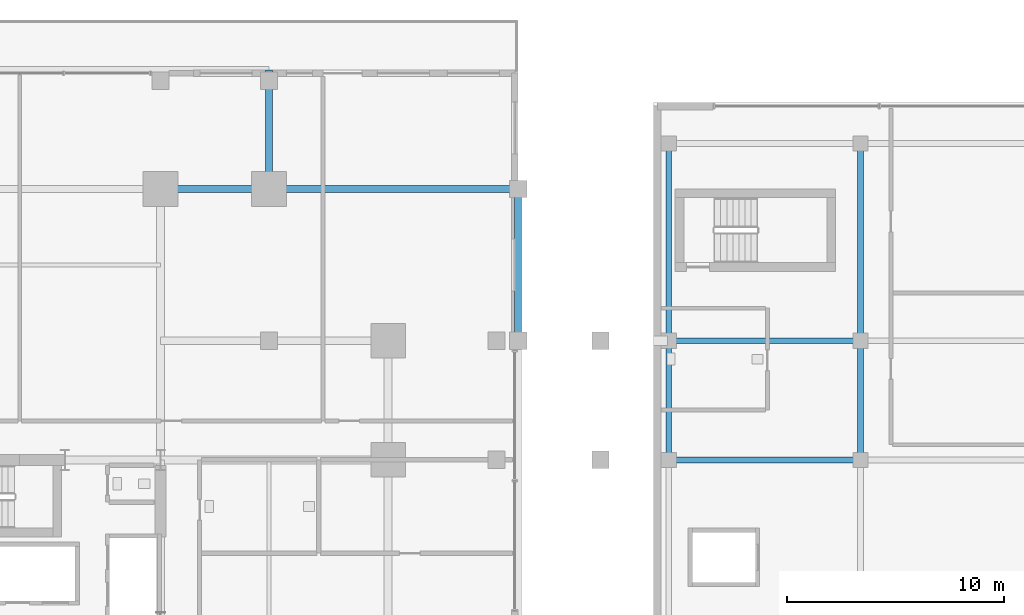
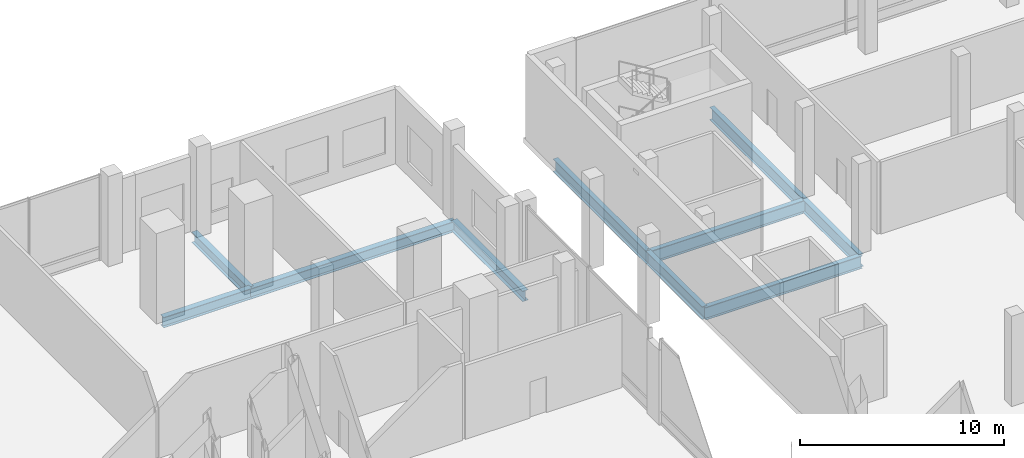
# One storey, part 15 of 32: 10 beams.
"""IFC4 building model written with IfcOpenShell, lengths in metres."""

import ifcopenshell
import ifcopenshell.guid

model = None  # the IFC model being written
_history = None  # IfcOwnerHistory: only IFC2X3 demands one
_inside = {}  # id of a spatial element -> (the spatial element, [elements in it])
_under = {}  # id of a project, library or spatial element -> (it, [spatial elements below it])
_declared = {}  # id of a project -> (the project, [libraries it declares])
_typed = {}  # id of a type object -> (the type object, [elements of that type])
_made_of = {}  # id of a material, layer set ... -> (it, [elements and type objects made of it])


def new_model(schema):
    """Start an empty IFC model of exactly this schema.

    Asked for "IFC4X3", IfcOpenShell would pick the latest addendum, in which some entities
    have other attributes; the version numbers below select the first issue.
    IFC2X3 requires an IfcOwnerHistory on every rooted entity: one is made here for all.
    """
    global model, _history
    if schema == "IFC4X3":
        model = ifcopenshell.file(schema_version=(4, 3, 0, 0))
    else:
        model = ifcopenshell.file(schema=schema)
    _inside.clear()
    _under.clear()
    _declared.clear()
    _typed.clear()
    _made_of.clear()
    _history = None
    if model.schema == "IFC2X3":
        org = make("IfcOrganization", Name="unknown")
        user = make(
            "IfcPersonAndOrganization",
            ThePerson=make("IfcPerson", FamilyName="unknown"),
            TheOrganization=org,
        )
        app = make(
            "IfcApplication",
            ApplicationDeveloper=org,
            Version="unknown",
            ApplicationFullName="unknown",
            ApplicationIdentifier="unknown",
        )
        _history = make(
            "IfcOwnerHistory",
            OwningUser=user,
            OwningApplication=app,
            ChangeAction="ADDED",
            CreationDate=0,
        )
    return model


def make(cls, **values):
    """One entity of the class cls with the attributes given. An attribute that is None is left unset."""
    return model.create_entity(
        cls, **{name: value for name, value in values.items() if value is not None}
    )


def rooted(cls, **values):
    """An entity with a GlobalId (a new one), such as an element, a storey or a relation."""
    return make(cls, GlobalId=ifcopenshell.guid.new(), OwnerHistory=_history, **values)


def si_unit(unit_type, name, prefix=None):
    """IfcSIUnit, for example si_unit("LENGTHUNIT", "METRE", prefix="MILLI")."""
    return make("IfcSIUnit", UnitType=unit_type, Prefix=prefix, Name=name)


def assignment(units):
    """IfcUnitAssignment: the units of a project."""
    return None if units is None else make("IfcUnitAssignment", Units=units)


def point(xyz):
    """IfcCartesianPoint."""
    return None if xyz is None else make("IfcCartesianPoint", Coordinates=xyz)


def direction(xyz):
    """IfcDirection."""
    return None if xyz is None else make("IfcDirection", DirectionRatios=xyz)


def frame(location, z_axis=None, x_axis=None):
    """IfcAxis2Placement3D, a coordinate frame: its origin and axes. An axis left out is left unset."""
    return make(
        "IfcAxis2Placement3D",
        Location=point(location),
        Axis=direction(z_axis),
        RefDirection=direction(x_axis),
    )


def frame_2d(location, x_axis=None):
    """IfcAxis2Placement2D, a coordinate frame in the plane: its origin and x axis."""
    return make(
        "IfcAxis2Placement2D", Location=point(location), RefDirection=direction(x_axis)
    )


def origin():
    """The frame at (0, 0, 0) with its axes left unset."""
    return frame((0.0, 0.0, 0.0))


def origin_2d():
    """The frame at (0, 0) in the plane with its x axis left unset."""
    return frame_2d((0.0, 0.0))


def place(relative_to, where):
    """IfcLocalPlacement: puts the frame where relative to a parent placement (None: the world)."""
    return make(
        "IfcLocalPlacement", PlacementRelTo=relative_to, RelativePlacement=where
    )


def context(
    kind, dimensions, precision=None, world=None, true_north=None, identifier=None
):
    """IfcGeometricRepresentationContext, for example the 3D "Model" context."""
    return make(
        "IfcGeometricRepresentationContext",
        ContextIdentifier=identifier,
        ContextType=kind,
        CoordinateSpaceDimension=dimensions,
        Precision=precision,
        WorldCoordinateSystem=world,
        TrueNorth=true_north,
    )


def subcontext(parent, identifier, kind, view, scale=None):
    """IfcGeometricRepresentationSubContext, for example "Body" below "Model"."""
    return make(
        "IfcGeometricRepresentationSubContext",
        ContextIdentifier=identifier,
        ContextType=kind,
        ParentContext=parent,
        TargetScale=scale,
        TargetView=view,
    )


def project(units=None, contexts=None):
    """IfcProject with its units and contexts."""
    return rooted(
        "IfcProject",
        Name="project",
        RepresentationContexts=contexts,
        UnitsInContext=assignment(units),
    )


def spatial(cls, under=None, at=None, **own):
    """A site, building, storey or space (cls), placed at a placement, below another one or the project."""
    s = rooted(cls, ObjectPlacement=at, **own)
    if under is not None:
        _under.setdefault(under.id(), (under, []))[1].append(s)
    return s


def profile(cls, at=None, kind="AREA", **sizes):
    """A parametric profile (cls). Its sizes go by their IFC names, for example OverallWidth=200.0."""
    return make(cls, ProfileType=kind, Position=at, **sizes)


def i_section(**sizes):
    """IfcIShapeProfileDef."""
    return profile("IfcIShapeProfileDef", **sizes)


def extrude(swept, where, along, depth):
    """IfcExtrudedAreaSolid: the profile swept, set in the frame where, extruded along a direction by depth."""
    return make(
        "IfcExtrudedAreaSolid",
        SweptArea=swept,
        Position=where,
        ExtrudedDirection=direction(along),
        Depth=depth,
    )


def shape(context_of_items, identifier, shape_type, items):
    """IfcShapeRepresentation: the items that make up one representation, for example the "Body"."""
    return make(
        "IfcShapeRepresentation",
        ContextOfItems=context_of_items,
        RepresentationIdentifier=identifier,
        RepresentationType=shape_type,
        Items=items,
    )


def material(Name=None, Category=None):
    """IfcMaterial."""
    return make("IfcMaterial", Name=Name, Category=Category)


def material_profile(
    of_material, cross_section, Name=None, Category=None, Priority=None
):
    """IfcMaterialProfile: a cross section and its material."""
    return make(
        "IfcMaterialProfile",
        Name=Name,
        Material=of_material,
        Profile=cross_section,
        Priority=Priority,
        Category=Category,
    )


def profile_set(profiles, Name=None, composite=None):
    """IfcMaterialProfileSet."""
    return make(
        "IfcMaterialProfileSet",
        Name=Name,
        MaterialProfiles=profiles,
        CompositeProfile=composite,
    )


def made_of(thing, what):
    """Note that an element or type object is made of a material, layer set ...; save() writes the relation."""
    if what is not None:
        _made_of.setdefault(what.id(), (what, []))[1].append(thing)
    return thing


def type_object(cls, material=None, **own):
    """A type object (cls), such as IfcWallType, which elements share."""
    return made_of(rooted(cls, **own), material)


def element(
    cls,
    number,
    at=None,
    inside=None,
    cuts=None,
    type_object=None,
    material=None,
    context=None,
    identifier="Body",
    shape_type=None,
    held_by="IfcProductDefinitionShape",
    body=None,
    shapes=None,
    **own,
):
    """One element of the class cls, such as IfcWall. Its Tag is "e" and its number.

    at: its placement. inside: the storey or other place that contains it. cuts: it is an
    opening in that element (IfcRelVoidsElement). A single representation is given by context,
    identifier, shape_type and body (its items); several are given by shapes. held_by: the class
    of the entity that holds the representations. save() writes the other relations.
    """
    e = rooted(cls, Tag="e%d" % number, ObjectPlacement=at, **own)
    if body is not None:
        shapes = [shape(context, identifier, shape_type, body)]
    if shapes is not None:
        e.Representation = make(held_by, Representations=shapes)
    if inside is not None:
        _inside.setdefault(inside.id(), (inside, []))[1].append(e)
    if cuts is not None:
        rooted(
            "IfcRelVoidsElement", RelatingBuildingElement=cuts, RelatedOpeningElement=e
        )
    if type_object is not None:
        _typed.setdefault(type_object.id(), (type_object, []))[1].append(e)
    return made_of(e, material)


def aggregate(whole, parts):
    """IfcRelAggregates: a whole, such as a stair, and the parts it consists of."""
    return rooted("IfcRelAggregates", RelatingObject=whole, RelatedObjects=parts)


def save(model, path):
    """Write the relations noted so far, then the file.

    IfcRelAggregates (storeys below a building ...), IfcRelContainedInSpatialStructure (elements
    in a storey), IfcRelDefinesByType, IfcRelAssociatesMaterial and IfcRelDeclares: one each for
    every whole, place, type object, material and project.
    """
    for whole, parts in _under.values():
        aggregate(whole, parts)
    for where, things in _inside.values():
        rooted(
            "IfcRelContainedInSpatialStructure",
            RelatedElements=things,
            RelatingStructure=where,
        )
    for kind, things in _typed.values():
        rooted("IfcRelDefinesByType", RelatedObjects=things, RelatingType=kind)
    for what, things in _made_of.values():
        rooted("IfcRelAssociatesMaterial", RelatedObjects=things, RelatingMaterial=what)
    for by, libraries in _declared.values():
        rooted("IfcRelDeclares", RelatingContext=by, RelatedDefinitions=libraries)
    model.write(path)


model = new_model("IFC4")

# Units and contexts
model_context = context("Model", 3, precision=1e-05, world=origin(), true_north=direction((0.0, 1.0)))
body_context = subcontext(model_context, "Body", "Model", "MODEL_VIEW")
ifc_project = project(units=[si_unit("LENGTHUNIT", "METRE"), si_unit("AREAUNIT", "SQUARE_METRE"), si_unit("VOLUMEUNIT", "CUBIC_METRE"), si_unit("PLANEANGLEUNIT", "RADIAN"), si_unit("MASSUNIT", "GRAM", prefix="KILO")], contexts=[model_context])

# Site, building, storey
site_placement = place(None, origin())
site = spatial("IfcSite", under=ifc_project, at=site_placement, CompositionType="ELEMENT")
building_placement = place(site_placement, origin())
building = spatial("IfcBuilding", under=site, at=building_placement, Name="Barlavira Tower and Art Museum", CompositionType="ELEMENT")
storey_placement = place(building_placement, frame((0.0, 0.0, 6.0)))
storey = spatial("IfcBuildingStorey", under=building, at=storey_placement, Name="L01", CompositionType="ELEMENT", Elevation=6.0)

# Beams
ifc_material = material(Name="Steel S355", Category="steel")
ifc_material_profile_1 = material_profile(ifc_material, i_section(OverallWidth=0.26904296875, OverallDepth=0.76806640625, WebThickness=0.016845703125, FlangeThickness=0.026611328125, at=origin_2d()), Name="W760x220.0")
ifc_profile_set_1 = profile_set([ifc_material_profile_1], Name="Steel S355")
beam_type_1 = type_object("IfcBeamType", Name="Museum Long-Span Gallery Girder W760x220 Steel S355", PredefinedType="BEAM", material=ifc_profile_set_1)
beam_1_placement = place(storey_placement, frame((29.949951171875, 7.5, -0.7041015625), z_axis=(0.0, 1.0, 0.0), x_axis=(-1.0, 0.0, 0.0)))
element("IfcBeam", 1, at=beam_1_placement, inside=storey, type_object=beam_type_1, Name="L01 Museum Girder Y 1-4", PredefinedType="BEAM", context=body_context, shape_type="SweptSolid", body=[
    extrude(i_section(OverallWidth=0.26904296875, OverallDepth=0.76806640625, WebThickness=0.016845703125, FlangeThickness=0.026611328125, at=origin_2d()), origin(), (0.0, 0.0, 1.0), 5.5),
])
beam_2_placement = place(storey_placement, frame((29.949951171875, 13.0, -0.7041015625), z_axis=(0.0, 1.0, 0.0), x_axis=(-1.0, 0.0, 0.0)))
element("IfcBeam", 2, at=beam_2_placement, inside=storey, type_object=beam_type_1, Name="L01 Museum Girder Y 1-5", PredefinedType="BEAM", context=body_context, shape_type="SweptSolid", body=[
    extrude(i_section(OverallWidth=0.26904296875, OverallDepth=0.76806640625, WebThickness=0.016845703125, FlangeThickness=0.026611328125, at=origin_2d()), origin(), (0.0, 0.0, 1.0), 9.10009765625),
])
beam_3_placement = place(storey_placement, frame((38.800048828125, 7.5, -0.7041015625), z_axis=(0.0, 1.0, 0.0), x_axis=(-1.0, 0.0, 0.0)))
element("IfcBeam", 3, at=beam_3_placement, inside=storey, type_object=beam_type_1, Name="L01 Museum Girder Y 2-4", PredefinedType="BEAM", context=body_context, shape_type="SweptSolid", body=[
    extrude(i_section(OverallWidth=0.26904296875, OverallDepth=0.76806640625, WebThickness=0.016845703125, FlangeThickness=0.026611328125, at=origin_2d()), origin(), (0.0, 0.0, 1.0), 5.5),
])
beam_4_placement = place(storey_placement, frame((38.800048828125, 13.0, -0.7041015625), z_axis=(0.0, 1.0, 0.0), x_axis=(-1.0, 0.0, 0.0)))
element("IfcBeam", 4, at=beam_4_placement, inside=storey, type_object=beam_type_1, Name="L01 Museum Girder Y 2-5", PredefinedType="BEAM", context=body_context, shape_type="SweptSolid", body=[
    extrude(i_section(OverallWidth=0.26904296875, OverallDepth=0.76806640625, WebThickness=0.016845703125, FlangeThickness=0.026611328125, at=origin_2d()), origin(), (0.0, 0.0, 1.0), 9.10009765625),
])
for number, where, z_axis, x_axis, name in (
    (5, (29.949951171875, 7.5, -0.7041015625), (1.0, 0.0, 0.0), (0.0, 1.0, 0.0), "L01 Museum Girder X 4-1"),
    (6, (29.949951171875, 13.0, -0.7041015625), (1.0, 0.0, 0.0), (0.0, 1.0, 0.0), "L01 Museum Girder X 5-1"),
):
    element("IfcBeam", number, at=place(storey_placement, frame(where, z_axis=z_axis, x_axis=x_axis)), inside=storey, type_object=beam_type_1, Name=name, PredefinedType="BEAM", context=body_context, shape_type="SweptSolid", body=[
        extrude(i_section(OverallWidth=0.26904296875, OverallDepth=0.76806640625, WebThickness=0.016845703125, FlangeThickness=0.026611328125, at=origin_2d()), origin(), (0.0, 0.0, 1.0), 8.85009765625),
    ])
ifc_material_profile_2 = material_profile(ifc_material, i_section(OverallWidth=0.327880859375, OverallDepth=0.62890625, WebThickness=0.013916015625, FlangeThickness=0.021484375, at=origin_2d()), Name="W610x174.0")
ifc_profile_set_2 = profile_set([ifc_material_profile_2], Name="Steel S355")
beam_type_2 = type_object("IfcBeamType", Name="Perimeter Spandrel Edge Beam W610x174 Steel S355", PredefinedType="SPANDREL", material=ifc_profile_set_2)
beam_5_placement = place(storey_placement, frame((6.5, 20.0, -0.594482421875), z_axis=(1.0, 0.0, 0.0), x_axis=(0.0, 1.0, 0.0)))
element("IfcBeam", 7, at=beam_5_placement, inside=storey, type_object=beam_type_2, Name="L01 Podium Spandrel PN4", PredefinedType="SPANDREL", context=body_context, shape_type="SweptSolid", body=[
    extrude(i_section(OverallWidth=0.327880859375, OverallDepth=0.62890625, WebThickness=0.013916015625, FlangeThickness=0.021484375, at=origin_2d()), origin(), (0.0, 0.0, 1.0), 5.0),
])
beam_6_placement = place(storey_placement, frame((11.5, 20.0, -0.594482421875), z_axis=(1.0, 0.0, 0.0), x_axis=(0.0, 1.0, 0.0)))
element("IfcBeam", 8, at=beam_6_placement, inside=storey, type_object=beam_type_2, Name="L01 Podium Spandrel PN5", PredefinedType="SPANDREL", context=body_context, shape_type="SweptSolid", body=[
    extrude(i_section(OverallWidth=0.327880859375, OverallDepth=0.62890625, WebThickness=0.013916015625, FlangeThickness=0.021484375, at=origin_2d()), origin(), (0.0, 0.0, 1.0), 11.5),
])
beam_7_placement = place(storey_placement, frame((23.0, 13.0, -0.594482421875), z_axis=(0.0, 1.0, 0.0), x_axis=(-1.0, 0.0, 0.0)))
element("IfcBeam", 9, at=beam_7_placement, inside=storey, type_object=beam_type_2, Name="L01 Podium Spandrel PE3", PredefinedType="SPANDREL", context=body_context, shape_type="SweptSolid", body=[
    extrude(i_section(OverallWidth=0.327880859375, OverallDepth=0.62890625, WebThickness=0.013916015625, FlangeThickness=0.021484375, at=origin_2d()), origin(), (0.0, 0.0, 1.0), 7.0),
])
beam_8_placement = place(storey_placement, frame((11.5, 20.0, -0.594482421875), z_axis=(0.0, 1.0, 0.0), x_axis=(-1.0, 0.0, 0.0)))
element("IfcBeam", 10, at=beam_8_placement, inside=storey, type_object=beam_type_2, Name="L01 NE Cascade Spandrel", PredefinedType="SPANDREL", context=body_context, shape_type="SweptSolid", body=[
    extrude(i_section(OverallWidth=0.327880859375, OverallDepth=0.62890625, WebThickness=0.013916015625, FlangeThickness=0.021484375, at=origin_2d()), origin(), (0.0, 0.0, 1.0), 5.5),
])

save(model, "model.ifc")
